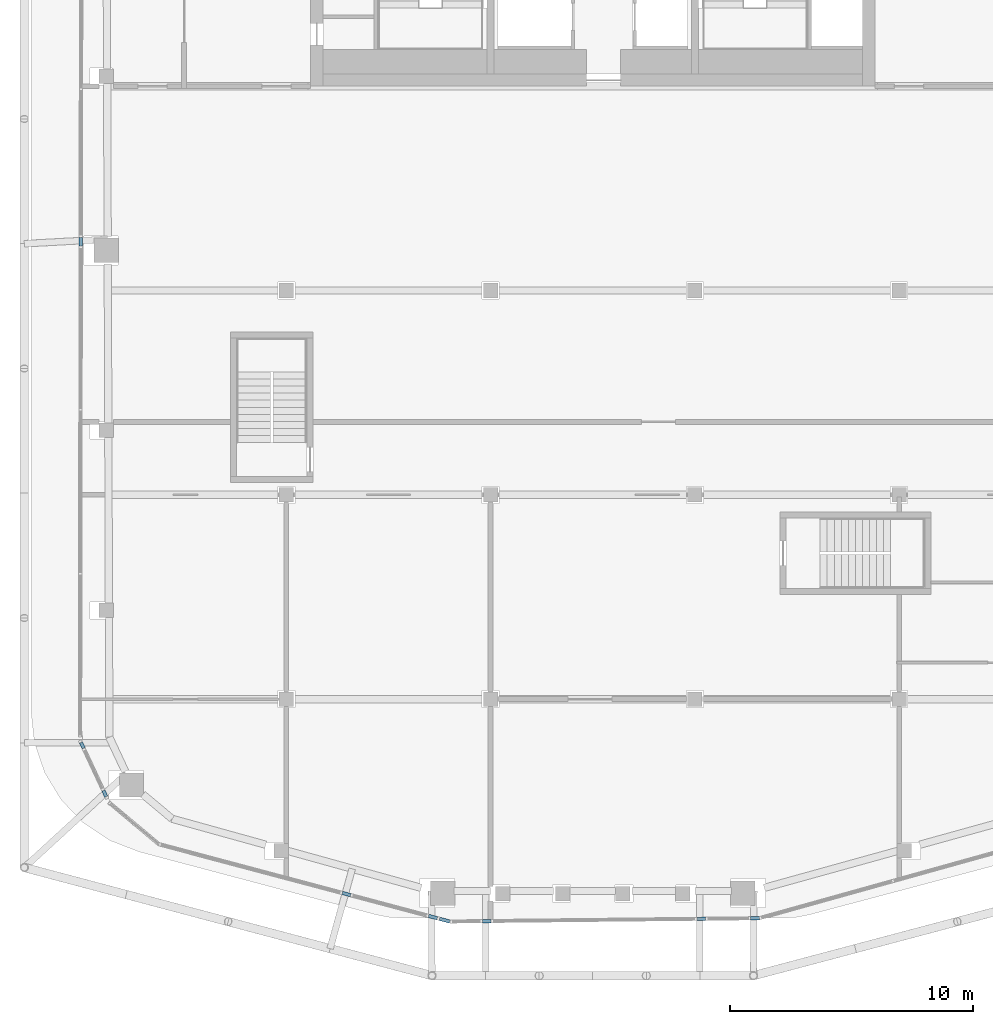
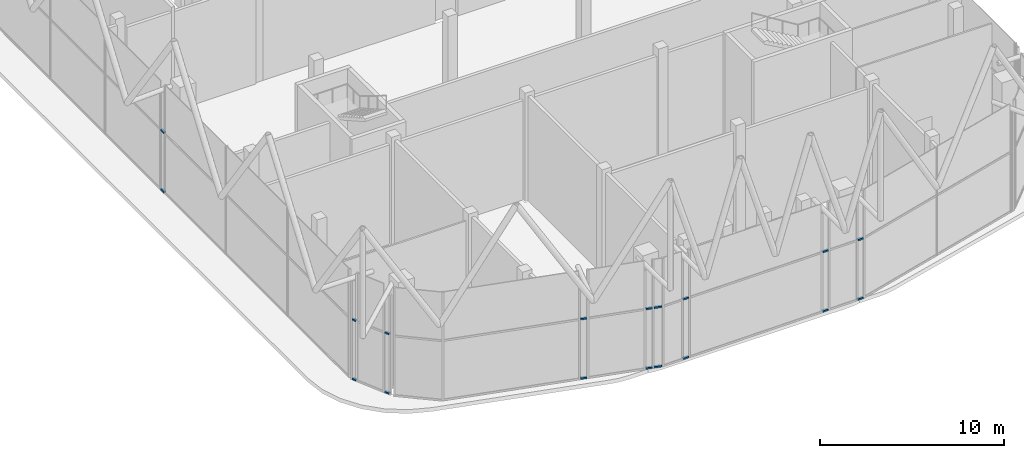
# One storey, part 9 of 25: 18 members, 9 elements without a shape of their own.
"""IFC4 building model written with IfcOpenShell, lengths in metres."""

from ifc_helpers import new_model, si_unit, direction, frame, origin, origin_2d, place, context, subcontext, project, spatial, rectangle, extrude, material, layer, layer_set, material_profile, profile_set, type_object, element, aggregate, save


model = new_model("IFC4")

# Units and contexts
model_context = context("Model", 3, precision=1e-05, world=origin(), true_north=direction((0.0, 1.0)))
body_context = subcontext(model_context, "Body", "Model", "MODEL_VIEW")
ifc_project = project(units=[si_unit("LENGTHUNIT", "METRE"), si_unit("AREAUNIT", "SQUARE_METRE"), si_unit("VOLUMEUNIT", "CUBIC_METRE"), si_unit("PLANEANGLEUNIT", "RADIAN"), si_unit("MASSUNIT", "GRAM", prefix="KILO")], contexts=[model_context])

# Site, building, storey
site_placement = place(None, origin())
site = spatial("IfcSite", under=ifc_project, at=site_placement, CompositionType="ELEMENT")
building_placement = place(site_placement, origin())
building = spatial("IfcBuilding", under=site, at=building_placement, Name="Marenta Gate Hotel Tower", CompositionType="ELEMENT")
storey_placement = place(building_placement, frame((0.0, 0.0, 281.300048828125)))
storey = spatial("IfcBuildingStorey", under=building, at=storey_placement, Name="L65", CompositionType="ELEMENT", Elevation=281.300048828125)

# Curtain wall, members
ifc_material_1 = material(Name="Tinted insulated glass in bronze anodised frame", Category="glass")
ifc_layer = layer(ifc_material_1, 0.139892578125)
ifc_layer_set = layer_set([ifc_layer], Name="Tinted insulated glass in bronze anodised frame")
curtain_wall_type = type_object("IfcCurtainWallType", Name="Observation deck structural glazing CW3", PredefinedType="NOTDEFINED", material=ifc_layer_set)
curtain_wall_1_placement = place(storey_placement, origin())
curtain_wall_1 = element("IfcCurtainWall", 1, at=curtain_wall_1_placement, inside=storey, type_object=curtain_wall_type, Name="CW3 run G08", PredefinedType="NOTDEFINED")
ifc_material_2 = material(Name="Bronze anodised aluminium", Category="aluminium")
ifc_material_profile = material_profile(ifc_material_2, rectangle(XDim=0.139892578125, YDim=0.10009765625, at=origin_2d()), Name="Transom CW3 100x140 bronze anodised aluminium")
ifc_profile_set = profile_set([ifc_material_profile], Name="Bronze anodised aluminium")
member_type = type_object("IfcMemberType", Name="Transom CW3 100x140 bronze anodised aluminium", PredefinedType="USERDEFINED", material=ifc_profile_set)
member_1_placement = place(storey_placement, frame((-21.050537109375, -6.223388671875, 0.050048828125), z_axis=(-0.002070388937, -0.999997856743, 0.0), x_axis=(0.999997856743, -0.002070388937, 0.0)))
member_1 = element("IfcMember", 2, at=member_1_placement, type_object=member_type, Name="CW3 transom 1.1", ObjectType="TRANSOM", PredefinedType="USERDEFINED", context=body_context, shape_type="SweptSolid", body=[
    extrude(rectangle(XDim=0.139892578125, YDim=0.10009765625, at=origin_2d()), origin(), (0.0, 0.0, 1.0), 0.353759765625),
])
member_2_placement = place(storey_placement, frame((-21.050537109375, -6.223388671875, 4.0), z_axis=(-0.002070388937, -0.999997856743, 0.0), x_axis=(0.999997856743, -0.002070388937, 0.0)))
member_2 = element("IfcMember", 3, at=member_2_placement, type_object=member_type, Name="CW3 transom 1.2", ObjectType="TRANSOM", PredefinedType="USERDEFINED", context=body_context, shape_type="SweptSolid", body=[
    extrude(rectangle(XDim=0.139892578125, YDim=0.10009765625, at=origin_2d()), origin(), (0.0, 0.0, 1.0), 0.353759765625),
])
aggregate(curtain_wall_1, [member_1, member_2])

curtain_wall_2_placement = place(storey_placement, origin())
curtain_wall_2 = element("IfcCurtainWall", 4, at=curtain_wall_2_placement, inside=storey, type_object=curtain_wall_type, Name="CW3 run G10", PredefinedType="NOTDEFINED")
member_3_placement = place(storey_placement, frame((-21.040771484375, -26.986572265625, 0.050048828125), z_axis=(0.423973139057, -0.905674763565, 0.0), x_axis=(0.905674763565, 0.423973139057, 0.0)))
member_3 = element("IfcMember", 5, at=member_3_placement, type_object=member_type, Name="CW3 transom 1.1", ObjectType="TRANSOM", PredefinedType="USERDEFINED", context=body_context, shape_type="SweptSolid", body=[
    extrude(rectangle(XDim=0.139892578125, YDim=0.10009765625, at=origin_2d()), origin(), (0.0, 0.0, 1.0), 0.258056640625),
])
member_4_placement = place(storey_placement, frame((-21.040771484375, -26.986572265625, 4.0), z_axis=(0.423973139057, -0.905674763565, 0.0), x_axis=(0.905674763565, 0.423973139057, 0.0)))
member_4 = element("IfcMember", 6, at=member_4_placement, type_object=member_type, Name="CW3 transom 1.2", ObjectType="TRANSOM", PredefinedType="USERDEFINED", context=body_context, shape_type="SweptSolid", body=[
    extrude(rectangle(XDim=0.139892578125, YDim=0.10009765625, at=origin_2d()), origin(), (0.0, 0.0, 1.0), 0.258056640625),
])
aggregate(curtain_wall_2, [member_3, member_4])

curtain_wall_3_placement = place(storey_placement, origin())
curtain_wall_3 = element("IfcCurtainWall", 7, at=curtain_wall_3_placement, inside=storey, type_object=curtain_wall_type, Name="CW3 run G12", PredefinedType="NOTDEFINED")
member_5_placement = place(storey_placement, frame((-20.11865234375, -28.95947265625, 0.050048828125), z_axis=(0.422885465331, -0.906183139995, 0.0), x_axis=(0.906183139995, 0.422885465331, 0.0)))
member_5 = element("IfcMember", 8, at=member_5_placement, type_object=member_type, Name="CW3 transom 1.1", ObjectType="TRANSOM", PredefinedType="USERDEFINED", context=body_context, shape_type="SweptSolid", body=[
    extrude(rectangle(XDim=0.139892578125, YDim=0.10009765625, at=origin_2d()), origin(), (0.0, 0.0, 1.0), 0.27490234375),
])
member_6_placement = place(storey_placement, frame((-20.11865234375, -28.95947265625, 4.0), z_axis=(0.422885465331, -0.906183139995, 0.0), x_axis=(0.906183139995, 0.422885465331, 0.0)))
member_6 = element("IfcMember", 9, at=member_6_placement, type_object=member_type, Name="CW3 transom 1.2", ObjectType="TRANSOM", PredefinedType="USERDEFINED", context=body_context, shape_type="SweptSolid", body=[
    extrude(rectangle(XDim=0.139892578125, YDim=0.10009765625, at=origin_2d()), origin(), (0.0, 0.0, 1.0), 0.27490234375),
])
aggregate(curtain_wall_3, [member_5, member_6])

curtain_wall_4_placement = place(storey_placement, origin())
curtain_wall_4 = element("IfcCurtainWall", 10, at=curtain_wall_4_placement, inside=storey, type_object=curtain_wall_type, Name="CW3 run G15", PredefinedType="NOTDEFINED")
member_7_placement = place(storey_placement, frame((-10.295654296875, -33.16943359375, 0.050048828125), z_axis=(0.966326724273, -0.257318211474, 0.0), x_axis=(0.257318211474, 0.966326724273, 0.0)))
member_7 = element("IfcMember", 11, at=member_7_placement, type_object=member_type, Name="CW3 transom 1.1", ObjectType="TRANSOM", PredefinedType="USERDEFINED", context=body_context, shape_type="SweptSolid", body=[
    extrude(rectangle(XDim=0.139892578125, YDim=0.10009765625, at=origin_2d()), origin(), (0.0, 0.0, 1.0), 0.35302734375),
])
member_8_placement = place(storey_placement, frame((-10.295654296875, -33.16943359375, 4.0), z_axis=(0.966326724273, -0.257318211474, 0.0), x_axis=(0.257318211474, 0.966326724273, 0.0)))
member_8 = element("IfcMember", 12, at=member_8_placement, type_object=member_type, Name="CW3 transom 1.2", ObjectType="TRANSOM", PredefinedType="USERDEFINED", context=body_context, shape_type="SweptSolid", body=[
    extrude(rectangle(XDim=0.139892578125, YDim=0.10009765625, at=origin_2d()), origin(), (0.0, 0.0, 1.0), 0.35302734375),
])
aggregate(curtain_wall_4, [member_7, member_8])

curtain_wall_5_placement = place(storey_placement, origin())
curtain_wall_5 = element("IfcCurtainWall", 13, at=curtain_wall_5_placement, inside=storey, type_object=curtain_wall_type, Name="CW3 run G17", PredefinedType="NOTDEFINED")
member_9_placement = place(storey_placement, frame((-6.752197265625, -34.112548828125, 0.050048828125), z_axis=(0.966377413311, -0.257127779602, 0.0), x_axis=(0.257127779602, 0.966377413311, 0.0)))
member_9 = element("IfcMember", 14, at=member_9_placement, type_object=member_type, Name="CW3 transom 1.1", ObjectType="TRANSOM", PredefinedType="USERDEFINED", context=body_context, shape_type="SweptSolid", body=[
    extrude(rectangle(XDim=0.139892578125, YDim=0.10009765625, at=origin_2d()), origin(), (0.0, 0.0, 1.0), 0.369384765625),
])
member_10_placement = place(storey_placement, frame((-6.752197265625, -34.112548828125, 4.0), z_axis=(0.966377413311, -0.257127779602, 0.0), x_axis=(0.257127779602, 0.966377413311, 0.0)))
member_10 = element("IfcMember", 15, at=member_10_placement, type_object=member_type, Name="CW3 transom 1.2", ObjectType="TRANSOM", PredefinedType="USERDEFINED", context=body_context, shape_type="SweptSolid", body=[
    extrude(rectangle(XDim=0.139892578125, YDim=0.10009765625, at=origin_2d()), origin(), (0.0, 0.0, 1.0), 0.369384765625),
])
aggregate(curtain_wall_5, [member_9, member_10])

curtain_wall_6_placement = place(storey_placement, origin())
curtain_wall_6 = element("IfcCurtainWall", 16, at=curtain_wall_6_placement, inside=storey, type_object=curtain_wall_type, Name="CW3 run G18", PredefinedType="NOTDEFINED")
member_11_placement = place(storey_placement, frame((-6.298583984375, -34.233154296875, 0.050048828125), z_axis=(0.966325749777, -0.257321871045, 0.0), x_axis=(0.257321871045, 0.966325749777, 0.0)))
member_11 = element("IfcMember", 17, at=member_11_placement, type_object=member_type, Name="CW3 transom 1.1", ObjectType="TRANSOM", PredefinedType="USERDEFINED", context=body_context, shape_type="SweptSolid", body=[
    extrude(rectangle(XDim=0.139892578125, YDim=0.10009765625, at=origin_2d()), origin(), (0.0, 0.0, 1.0), 0.446044921875),
])
member_12_placement = place(storey_placement, frame((-6.298583984375, -34.233154296875, 4.0), z_axis=(0.966325749777, -0.257321871045, 0.0), x_axis=(0.257321871045, 0.966325749777, 0.0)))
member_12 = element("IfcMember", 18, at=member_12_placement, type_object=member_type, Name="CW3 transom 1.2", ObjectType="TRANSOM", PredefinedType="USERDEFINED", context=body_context, shape_type="SweptSolid", body=[
    extrude(rectangle(XDim=0.139892578125, YDim=0.10009765625, at=origin_2d()), origin(), (0.0, 0.0, 1.0), 0.446044921875),
])
aggregate(curtain_wall_6, [member_11, member_12])

curtain_wall_7_placement = place(storey_placement, origin())
curtain_wall_7 = element("IfcCurtainWall", 19, at=curtain_wall_7_placement, inside=storey, type_object=curtain_wall_type, Name="CW3 run G20", PredefinedType="NOTDEFINED")
member_13_placement = place(storey_placement, frame((-4.532470703125, -34.333740234375, 0.050048828125), z_axis=(0.999938788432, 0.011064329609, 0.0), x_axis=(-0.011064329609, 0.999938788432, 0.0)))
member_13 = element("IfcMember", 20, at=member_13_placement, type_object=member_type, Name="CW3 transom 1.1", ObjectType="TRANSOM", PredefinedType="USERDEFINED", context=body_context, shape_type="SweptSolid", body=[
    extrude(rectangle(XDim=0.139892578125, YDim=0.10009765625, at=origin_2d()), origin(), (0.0, 0.0, 1.0), 0.35302734375),
])
member_14_placement = place(storey_placement, frame((-4.532470703125, -34.333740234375, 4.0), z_axis=(0.999938788432, 0.011064329609, 0.0), x_axis=(-0.011064329609, 0.999938788432, 0.0)))
member_14 = element("IfcMember", 21, at=member_14_placement, type_object=member_type, Name="CW3 transom 1.2", ObjectType="TRANSOM", PredefinedType="USERDEFINED", context=body_context, shape_type="SweptSolid", body=[
    extrude(rectangle(XDim=0.139892578125, YDim=0.10009765625, at=origin_2d()), origin(), (0.0, 0.0, 1.0), 0.35302734375),
])
aggregate(curtain_wall_7, [member_13, member_14])

curtain_wall_8_placement = place(storey_placement, origin())
curtain_wall_8 = element("IfcCurtainWall", 22, at=curtain_wall_8_placement, inside=storey, type_object=curtain_wall_type, Name="CW3 run G22", PredefinedType="NOTDEFINED")
member_15_placement = place(storey_placement, frame((4.279541015625, -34.239990234375, 0.050048828125), z_axis=(0.999938788432, 0.011064329609, 0.0), x_axis=(-0.011064329609, 0.999938788432, 0.0)))
member_15 = element("IfcMember", 23, at=member_15_placement, type_object=member_type, Name="CW3 transom 1.1", ObjectType="TRANSOM", PredefinedType="USERDEFINED", context=body_context, shape_type="SweptSolid", body=[
    extrude(rectangle(XDim=0.139892578125, YDim=0.10009765625, at=origin_2d()), origin(), (0.0, 0.0, 1.0), 0.35302734375),
])
member_16_placement = place(storey_placement, frame((4.279541015625, -34.239990234375, 4.0), z_axis=(0.999938788432, 0.011064329609, 0.0), x_axis=(-0.011064329609, 0.999938788432, 0.0)))
member_16 = element("IfcMember", 24, at=member_16_placement, type_object=member_type, Name="CW3 transom 1.2", ObjectType="TRANSOM", PredefinedType="USERDEFINED", context=body_context, shape_type="SweptSolid", body=[
    extrude(rectangle(XDim=0.139892578125, YDim=0.10009765625, at=origin_2d()), origin(), (0.0, 0.0, 1.0), 0.35302734375),
])
aggregate(curtain_wall_8, [member_15, member_16])

curtain_wall_9_placement = place(storey_placement, origin())
curtain_wall_9 = element("IfcCurtainWall", 25, at=curtain_wall_9_placement, inside=storey, type_object=curtain_wall_type, Name="CW3 run G24", PredefinedType="NOTDEFINED")
member_17_placement = place(storey_placement, frame((6.4951171875, -34.21630859375, 0.050048828125), z_axis=(0.999946274501, 0.010365718119, 0.0), x_axis=(-0.010365718119, 0.999946274501, 0.0)))
member_17 = element("IfcMember", 26, at=member_17_placement, type_object=member_type, Name="CW3 transom 1.1", ObjectType="TRANSOM", PredefinedType="USERDEFINED", context=body_context, shape_type="SweptSolid", body=[
    extrude(rectangle(XDim=0.139892578125, YDim=0.10009765625, at=origin_2d()), origin(), (0.0, 0.0, 1.0), 0.353271484375),
])
member_18_placement = place(storey_placement, frame((6.4951171875, -34.21630859375, 4.0), z_axis=(0.999946274501, 0.010365718119, 0.0), x_axis=(-0.010365718119, 0.999946274501, 0.0)))
member_18 = element("IfcMember", 27, at=member_18_placement, type_object=member_type, Name="CW3 transom 1.2", ObjectType="TRANSOM", PredefinedType="USERDEFINED", context=body_context, shape_type="SweptSolid", body=[
    extrude(rectangle(XDim=0.139892578125, YDim=0.10009765625, at=origin_2d()), origin(), (0.0, 0.0, 1.0), 0.353271484375),
])
aggregate(curtain_wall_9, [member_17, member_18])

save(model, "model.ifc")
